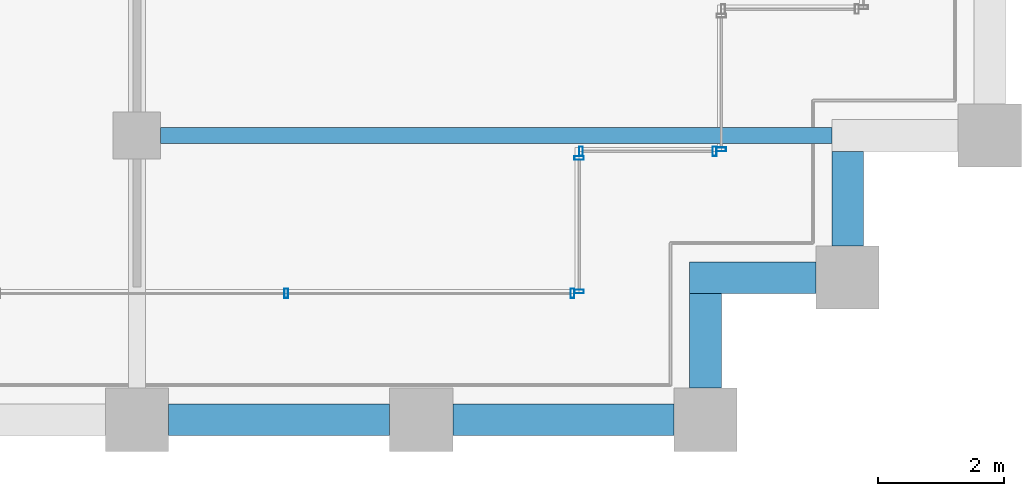
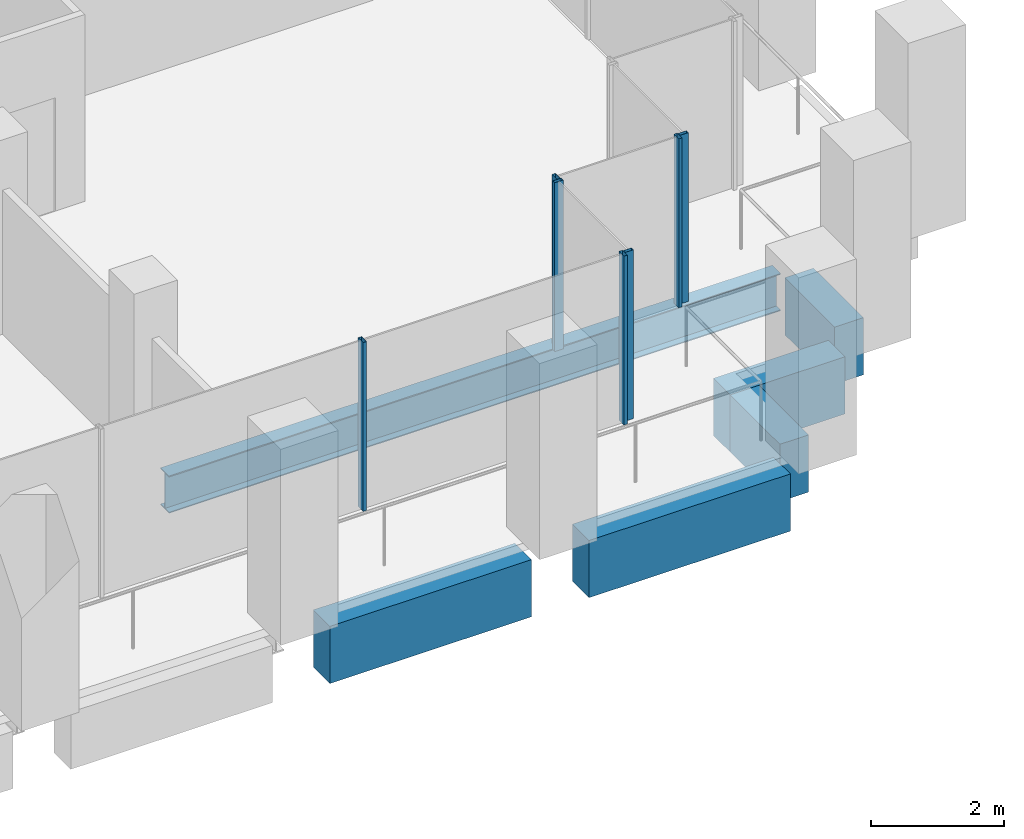
# One storey, part 12 of 47: 7 members, 6 beams, 4 elements without a shape of their own.
"""IFC4 building model written with IfcOpenShell, lengths in metres."""

from ifc_helpers import new_model, si_unit, direction, frame, origin, origin_2d, place, context, subcontext, project, spatial, rectangle, hollow_rectangle, i_section, extrude, material, material_profile, profile_set, type_object, element, aggregate, save


model = new_model("IFC4")

# Units and contexts
model_context = context("Model", 3, precision=1e-05, world=origin(), true_north=direction((0.0, 1.0)))
body_context = subcontext(model_context, "Body", "Model", "MODEL_VIEW")
ifc_project = project(units=[si_unit("LENGTHUNIT", "METRE"), si_unit("AREAUNIT", "SQUARE_METRE"), si_unit("VOLUMEUNIT", "CUBIC_METRE"), si_unit("PLANEANGLEUNIT", "RADIAN"), si_unit("MASSUNIT", "GRAM", prefix="KILO")], contexts=[model_context])

# Site, building, storey
site_placement = place(None, origin())
site = spatial("IfcSite", under=ifc_project, at=site_placement, CompositionType="ELEMENT")
building_placement = place(site_placement, origin())
building = spatial("IfcBuilding", under=site, at=building_placement, Name="Altepetl Exchange Towers", CompositionType="ELEMENT")
storey_placement = place(building_placement, frame((0.0, 0.0, 99.199951171875)))
storey = spatial("IfcBuildingStorey", under=building, at=storey_placement, Name="L24", CompositionType="ELEMENT", Elevation=99.199951171875)

# Beam
ifc_material_1 = material(Name="Steel S355", Category="steel")
ifc_material_profile_1 = material_profile(ifc_material_1, i_section(OverallWidth=0.25390625, OverallDepth=0.68408203125, WebThickness=0.012451171875, FlangeThickness=0.018798828125, at=origin_2d()), Name="W27X94")
ifc_profile_set_1 = profile_set([ifc_material_profile_1], Name="Steel S355")
beam_type_1 = type_object("IfcBeamType", Name="Floor beam W27X94", PredefinedType="BEAM", material=ifc_profile_set_1)
beam_1_placement = place(storey_placement, frame((58.875, 31.5, -0.491943359375), z_axis=(1.0, 0.0, 0.0), x_axis=(0.0, 1.0, 0.0)))
element("IfcBeam", 1, at=beam_1_placement, inside=storey, type_object=beam_type_1, Name="bm:A:L24:006", PredefinedType="BEAM", context=body_context, shape_type="SweptSolid", body=[
    extrude(i_section(OverallWidth=0.25390625, OverallDepth=0.68408203125, WebThickness=0.012451171875, FlangeThickness=0.018798828125, at=origin_2d()), origin(), (0.0, 0.0, 1.0), 10.625),
])

# Curtain wall, members
ifc_material_2 = material(Name="Aluminium 6063-T6 glazing", Category="aluminium")
curtain_wall_type = type_object("IfcCurtainWallType", Name="Loggia glazing system", PredefinedType="NOTDEFINED", material=ifc_material_2)
curtain_wall_1_placement = place(storey_placement, origin())
curtain_wall_1 = element("IfcCurtainWall", 2, at=curtain_wall_1_placement, inside=storey, type_object=curtain_wall_type, Name="CW1 run", PredefinedType="NOTDEFINED")
ifc_material_3 = material(Name="Aluminium 6063-T6", Category="aluminium")
ifc_material_profile_2 = material_profile(ifc_material_3, hollow_rectangle(XDim=0.06005859375, YDim=0.14990234375, WallThickness=0.0029296875, at=origin_2d()), Name="Mullion 60x150 aluminium")
ifc_profile_set_2 = profile_set([ifc_material_profile_2], Name="Aluminium 6063-T6")
member_type = type_object("IfcMemberType", Name="Mullion 60x150 aluminium", PredefinedType="MULLION", material=ifc_profile_set_2)
member_1_placement = place(storey_placement, frame((60.8642578125, 29.0, 0.0)))
member_1 = element("IfcMember", 3, at=member_1_placement, type_object=member_type, Name="MU1 mullion", PredefinedType="MULLION", context=body_context, shape_type="SweptSolid", body=[
    extrude(hollow_rectangle(XDim=0.06005859375, YDim=0.14990234375, WallThickness=0.0029296875, at=origin_2d()), origin(), (0.0, 0.0, 1.0), 3.10009765625),
])
member_2_placement = place(storey_placement, frame((65.39501953125, 29.0, 0.0)))
member_2 = element("IfcMember", 4, at=member_2_placement, type_object=member_type, Name="MU1 mullion", PredefinedType="MULLION", context=body_context, shape_type="SweptSolid", body=[
    extrude(hollow_rectangle(XDim=0.06005859375, YDim=0.14990234375, WallThickness=0.0029296875, at=origin_2d()), origin(), (0.0, 0.0, 1.0), 3.10009765625),
])
aggregate(curtain_wall_1, [member_1, member_2])

curtain_wall_2_placement = place(storey_placement, origin())
curtain_wall_2 = element("IfcCurtainWall", 5, at=curtain_wall_2_placement, inside=storey, type_object=curtain_wall_type, Name="CW1 run", PredefinedType="NOTDEFINED")
member_3_placement = place(storey_placement, frame((65.5, 29.030029296875, 0.0), z_axis=(0.0, 0.0, 1.0), x_axis=(0.0, 1.0, 0.0)))
member_3 = element("IfcMember", 6, at=member_3_placement, type_object=member_type, Name="MU1 mullion", PredefinedType="MULLION", context=body_context, shape_type="SweptSolid", body=[
    extrude(hollow_rectangle(XDim=0.06005859375, YDim=0.14990234375, WallThickness=0.0029296875, at=origin_2d()), origin(), (0.0, 0.0, 1.0), 3.10009765625),
])
member_4_placement = place(storey_placement, frame((65.5, 31.14501953125, 0.0), z_axis=(0.0, 0.0, 1.0), x_axis=(0.0, 1.0, 0.0)))
member_4 = element("IfcMember", 7, at=member_4_placement, type_object=member_type, Name="MU1 mullion", PredefinedType="MULLION", context=body_context, shape_type="SweptSolid", body=[
    extrude(hollow_rectangle(XDim=0.06005859375, YDim=0.14990234375, WallThickness=0.0029296875, at=origin_2d()), origin(), (0.0, 0.0, 1.0), 3.10009765625),
])
aggregate(curtain_wall_2, [member_3, member_4])

curtain_wall_3_placement = place(storey_placement, origin())
curtain_wall_3 = element("IfcCurtainWall", 8, at=curtain_wall_3_placement, inside=storey, type_object=curtain_wall_type, Name="CW1 run", PredefinedType="NOTDEFINED")
member_5_placement = place(storey_placement, frame((65.530029296875, 31.25, 0.0)))
member_5 = element("IfcMember", 9, at=member_5_placement, type_object=member_type, Name="MU1 mullion", PredefinedType="MULLION", context=body_context, shape_type="SweptSolid", body=[
    extrude(hollow_rectangle(XDim=0.06005859375, YDim=0.14990234375, WallThickness=0.0029296875, at=origin_2d()), origin(), (0.0, 0.0, 1.0), 3.10009765625),
])
member_6_placement = place(storey_placement, frame((67.64501953125, 31.25, 0.0)))
member_6 = element("IfcMember", 10, at=member_6_placement, type_object=member_type, Name="MU1 mullion", PredefinedType="MULLION", context=body_context, shape_type="SweptSolid", body=[
    extrude(hollow_rectangle(XDim=0.06005859375, YDim=0.14990234375, WallThickness=0.0029296875, at=origin_2d()), origin(), (0.0, 0.0, 1.0), 3.10009765625),
])
aggregate(curtain_wall_3, [member_5, member_6])

# Curtain wall, member
curtain_wall_4_placement = place(storey_placement, origin())
curtain_wall_4 = element("IfcCurtainWall", 11, at=curtain_wall_4_placement, inside=storey, type_object=curtain_wall_type, Name="CW1 run", PredefinedType="NOTDEFINED")
member_7_placement = place(storey_placement, frame((67.75, 31.280029296875, 0.0), z_axis=(0.0, 0.0, 1.0), x_axis=(0.0, 1.0, 0.0)))
member_7 = element("IfcMember", 12, at=member_7_placement, type_object=member_type, Name="MU1 mullion", PredefinedType="MULLION", context=body_context, shape_type="SweptSolid", body=[
    extrude(hollow_rectangle(XDim=0.06005859375, YDim=0.14990234375, WallThickness=0.0029296875, at=origin_2d()), origin(), (0.0, 0.0, 1.0), 3.10009765625),
])
aggregate(curtain_wall_4, [member_7])

# Beams
ifc_material_4 = material(Name="Concrete C50/60 precast with cantera amarilla facing", Category="concrete")
ifc_material_profile_3 = material_profile(ifc_material_4, rectangle(XDim=0.5, YDim=1.050048828125, at=origin_2d()), Name="500 x 1050")
ifc_profile_set_3 = profile_set([ifc_material_profile_3], Name="Concrete C50/60 precast with cantera amarilla facing")
beam_type_2 = type_object("IfcBeamType", Name="Spandrel beam 500x1050 cantera amarilla", PredefinedType="SPANDREL", material=ifc_profile_set_3)
for number, where, z_axis, x_axis, name in (
    (13, (59.0, 27.0, -0.675048828125), (1.0, 0.0, 0.0), (0.0, 1.0, 0.0), "sp:A:L24:006"),
    (14, (63.5, 27.0, -0.675048828125), (1.0, 0.0, 0.0), (0.0, 1.0, 0.0), "sp:A:L24:007"),
):
    element("IfcBeam", number, at=place(storey_placement, frame(where, z_axis=z_axis, x_axis=x_axis)), inside=storey, type_object=beam_type_2, Name=name, PredefinedType="SPANDREL", context=body_context, shape_type="SweptSolid", body=[
        extrude(rectangle(XDim=0.5, YDim=1.050048828125, at=origin_2d()), origin(), (0.0, 0.0, 1.0), 3.5),
    ])
beam_2_placement = place(storey_placement, frame((67.5, 27.5, -0.675048828125), z_axis=(0.0, 1.0, 0.0), x_axis=(-1.0, 0.0, 0.0)))
element("IfcBeam", 15, at=beam_2_placement, inside=storey, type_object=beam_type_2, Name="sp:A:L24:008", PredefinedType="SPANDREL", context=body_context, shape_type="SweptSolid", body=[
    extrude(rectangle(XDim=0.5, YDim=1.050048828125, at=origin_2d()), origin(), (0.0, 0.0, 1.0), 1.5),
])
beam_3_placement = place(storey_placement, frame((67.25, 29.25, -0.675048828125), z_axis=(1.0, 0.0, 0.0), x_axis=(0.0, 1.0, 0.0)))
element("IfcBeam", 16, at=beam_3_placement, inside=storey, type_object=beam_type_2, Name="sp:A:L24:009", PredefinedType="SPANDREL", context=body_context, shape_type="SweptSolid", body=[
    extrude(rectangle(XDim=0.5, YDim=1.050048828125, at=origin_2d()), origin(), (0.0, 0.0, 1.0), 2.0),
])
beam_4_placement = place(storey_placement, frame((69.75, 29.75, -0.675048828125), z_axis=(0.0, 1.0, 0.0), x_axis=(-1.0, 0.0, 0.0)))
element("IfcBeam", 17, at=beam_4_placement, inside=storey, type_object=beam_type_2, Name="sp:A:L24:010", PredefinedType="SPANDREL", context=body_context, shape_type="SweptSolid", body=[
    extrude(rectangle(XDim=0.5, YDim=1.050048828125, at=origin_2d()), origin(), (0.0, 0.0, 1.0), 1.5),
])

save(model, "model.ifc")
